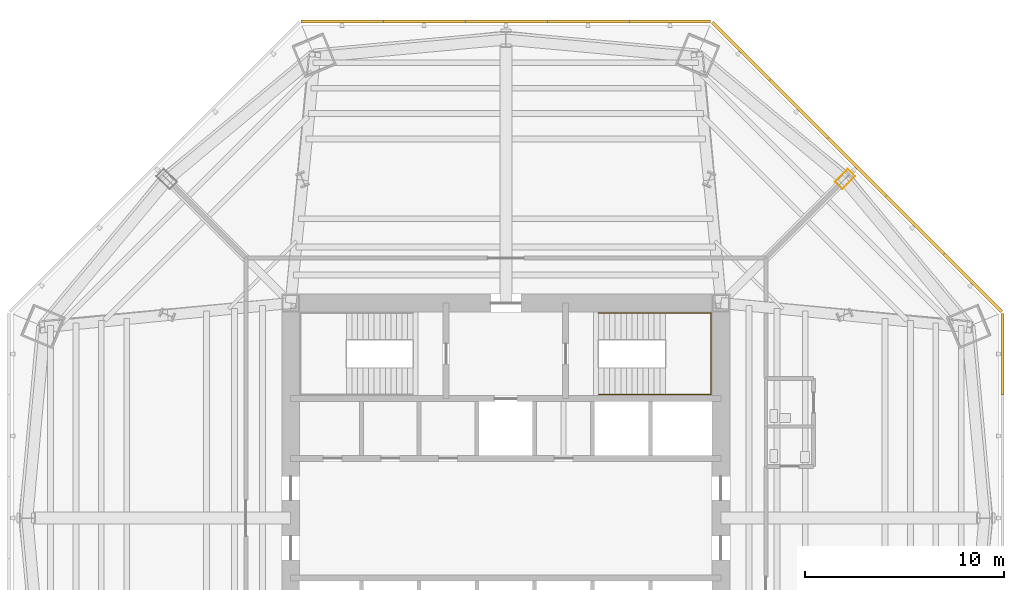
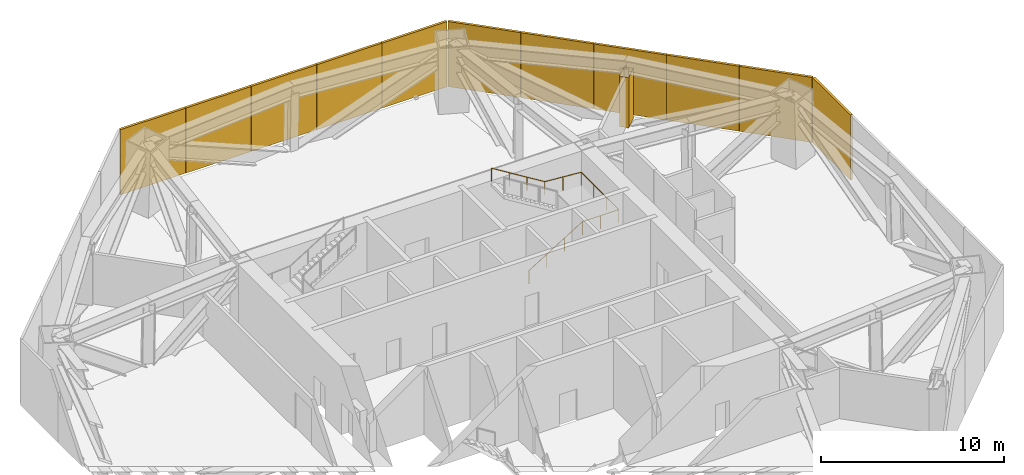
# One storey, part 9 of 10: 11 shading devices, 1 covering, 1 railing.
"""IFC4 building model written with IfcOpenShell, lengths in metres."""

from ifc_helpers import new_model, si_unit, direction, frame, origin, origin_2d, place, context, subcontext, project, spatial, polyline, rectangle, circle, outline, extrude, source, transform, mapped, material, layer, layer_set, type_object, type_shapes, element, save


model = new_model("IFC4")

# Units and contexts
model_context = context("Model", 3, precision=1e-05, world=origin(), true_north=direction((0.0, 1.0)))
body_context = subcontext(model_context, "Body", "Model", "MODEL_VIEW")
ifc_project = project(units=[si_unit("LENGTHUNIT", "METRE"), si_unit("AREAUNIT", "SQUARE_METRE"), si_unit("VOLUMEUNIT", "CUBIC_METRE"), si_unit("PLANEANGLEUNIT", "RADIAN"), si_unit("MASSUNIT", "GRAM", prefix="KILO")], contexts=[model_context])

# Site, building, storey
site_placement = place(None, origin())
site = spatial("IfcSite", under=ifc_project, at=site_placement, CompositionType="ELEMENT")
building_placement = place(site_placement, origin())
building = spatial("IfcBuilding", under=site, at=building_placement, Name="Mashrafa Tower", CompositionType="ELEMENT")
storey_placement = place(building_placement, frame((0.0, 0.0, 108.89990234375)))
storey = spatial("IfcBuildingStorey", under=building, at=storey_placement, Name="L24", CompositionType="ELEMENT", Elevation=108.89990234375)

# Covering
ifc_material_1 = material(Name="Gypsum board")
ifc_layer_1 = layer(ifc_material_1, 0.014892578125)
ifc_layer_set_1 = layer_set([ifc_layer_1], Name="Column casing plasterboard 15")
covering_type = type_object("IfcCoveringType", Name="Column casing plasterboard 15", PredefinedType="CLADDING", material=ifc_layer_set_1)
covering_placement = place(storey_placement, origin())
element("IfcCovering", 1, at=covering_placement, inside=storey, type_object=covering_type, Name="Column casing L24-001", PredefinedType="CLADDING", context=body_context, shape_type="SweptSolid", body=[
    extrude(outline(polyline([(16.506591796875, 16.881591796875), (17.171630859375, 17.54638671875), (17.54638671875, 17.171630859375), (16.881591796875, 16.506591796875), (16.506591796875, 16.881591796875)]), holes=[polyline([(17.525146484375, 17.171630859375), (17.171630859375, 17.525146484375), (16.52783203125, 16.881591796875), (16.881591796875, 16.52783203125), (17.525146484375, 17.171630859375)])]), origin(), (0.0, 0.0, 1.0), 3.342041015625),
])

# Railing
ifc_material_2 = material(Name="Steel", Category="steel")
railing_type = type_object("IfcRailingType", Name="Stair handrail 900", PredefinedType="HANDRAIL", material=ifc_material_2)
railing_placement = place(storey_placement, frame((4.64990234375, 6.199951171875, 0.173095703125)))
element("IfcRailing", 2, at=railing_placement, inside=storey, type_object=railing_type, Name="Stair S2 handrail L24", PredefinedType="HANDRAIL", context=body_context, shape_type="SweptSolid", body=[
    extrude(circle(Radius=0.02392578125, at=origin_2d()), frame((0.0, 0.0, 0.8759765625), z_axis=(0.850623216509, 0.0, 0.525775754039), x_axis=(0.0, 1.0, 0.0)), (0.0, 0.0, 1.0), 3.9501953125),
    extrude(circle(Radius=0.02392578125, at=origin_2d()), frame((3.360107421875, 0.0, 2.95263671875), z_axis=(1.0, 0.0, 0.0), x_axis=(0.0, 1.0, 0.0)), (0.0, 0.0, 1.0), 2.2900390625),
    extrude(circle(Radius=0.02392578125, at=origin_2d()), frame((5.650146484375, 0.0, 2.95263671875), z_axis=(0.0, 1.0, 0.0), x_axis=(-1.0, 0.0, 0.0)), (0.0, 0.0, 1.0), 4.10009765625),
    extrude(circle(Radius=0.02392578125, at=origin_2d()), frame((5.650146484375, 4.10009765625, 2.95263671875), z_axis=(-0.99715553422, 0.0, 0.075371351147), x_axis=(0.0, -1.0, 0.0)), (0.0, 0.0, 1.0), 2.296630859375),
    extrude(circle(Radius=0.02392578125, at=origin_2d()), frame((3.360107421875, 4.10009765625, 3.1259765625), z_axis=(-0.850623216509, 0.0, 0.525775754039), x_axis=(0.0, -1.0, 0.0)), (0.0, 0.0, 1.0), 3.9501953125),
    extrude(circle(Radius=0.02099609375, at=origin_2d()), origin(), (0.0, 0.0, 1.0), 0.851806640625),
    extrude(circle(Radius=0.02099609375, at=origin_2d()), frame((1.1201171875, 0.0, 0.6923828125)), (0.0, 0.0, 1.0), 0.851806640625),
    extrude(circle(Radius=0.02099609375, at=origin_2d()), frame((2.239990234375, 0.0, 1.384521484375)), (0.0, 0.0, 1.0), 0.851806640625),
    extrude(circle(Radius=0.02099609375, at=origin_2d()), frame((3.360107421875, 0.0, 2.076904296875)), (0.0, 0.0, 1.0), 0.851806640625),
    extrude(circle(Radius=0.02099609375, at=origin_2d()), frame((4.505126953125, 0.0, 2.076904296875)), (0.0, 0.0, 1.0), 0.851806640625),
    extrude(circle(Radius=0.02099609375, at=origin_2d()), frame((5.650146484375, 0.0, 2.076904296875)), (0.0, 0.0, 1.0), 0.851806640625),
    extrude(circle(Radius=0.02099609375, at=origin_2d()), frame((5.650146484375, 1.36669921875, 2.076904296875)), (0.0, 0.0, 1.0), 0.851806640625),
    extrude(circle(Radius=0.02099609375, at=origin_2d()), frame((5.650146484375, 2.7333984375, 2.076904296875)), (0.0, 0.0, 1.0), 0.851806640625),
    extrude(circle(Radius=0.02099609375, at=origin_2d()), frame((5.650146484375, 4.10009765625, 2.076904296875)), (0.0, 0.0, 1.0), 0.851806640625),
    extrude(circle(Radius=0.02099609375, at=origin_2d()), frame((4.505126953125, 4.10009765625, 2.16357421875)), (0.0, 0.0, 1.0), 0.851806640625),
    extrude(circle(Radius=0.02099609375, at=origin_2d()), frame((3.360107421875, 4.10009765625, 2.25)), (0.0, 0.0, 1.0), 0.851806640625),
    extrude(circle(Radius=0.02099609375, at=origin_2d()), frame((2.239990234375, 4.10009765625, 2.9423828125)), (0.0, 0.0, 1.0), 0.851806640625),
    extrude(circle(Radius=0.02099609375, at=origin_2d()), frame((1.1201171875, 4.10009765625, 3.634521484375)), (0.0, 0.0, 1.0), 0.851806640625),
    extrude(circle(Radius=0.02099609375, at=origin_2d()), frame((0.0, 4.10009765625, 4.326904296875)), (0.0, 0.0, 1.0), 0.851806640625),
])

# Shading devices
ifc_material_3 = material(Name="Extruded aluminium weather louvre", Category="aluminium")
ifc_layer_2 = layer(ifc_material_3, 0.14990234375)
ifc_layer_set_2 = layer_set([ifc_layer_2], Name="Plant louvre screen 150")
shading_device_type = type_object("IfcShadingDeviceType", Name="Plant louvre screen 150", PredefinedType="SHUTTER", material=ifc_layer_set_2)
shared_shape = source(origin(), body_context, "Body", "SweptSolid", [
    extrude(rectangle(XDim=4.0947265625, YDim=0.14990234375, at=origin_2d()), origin(), (0.0, 0.0, 1.0), 4.330078125),
])
type_shapes(shading_device_type, [shared_shape])
for number, where, z_axis, x_axis, name in (
    (3, (24.93408203125, 8.2294921875, 0.0), (0.0, 0.0, 1.0), (0.0, 1.0, 0.0), "Plant louvre screen L24 east 5"),
    (4, (23.4501953125, 11.811767578125, 0.0), (0.0, 0.0, 1.0), (-0.707106781187, 0.707106781187, 0.0), "Plant louvre screen L24 north-east 1"),
    (5, (20.540771484375, 14.721435546875, 0.0), (0.0, 0.0, 1.0), (-0.707106781187, 0.707106781187, 0.0), "Plant louvre screen L24 north-east 2"),
    (6, (17.631103515625, 17.631103515625, 0.0), (0.0, 0.0, 1.0), (-0.707106781187, 0.707106781187, 0.0), "Plant louvre screen L24 north-east 3"),
    (7, (14.721435546875, 20.540771484375, 0.0), (0.0, 0.0, 1.0), (-0.707106781187, 0.707106781187, 0.0), "Plant louvre screen L24 north-east 4"),
    (8, (11.811767578125, 23.4501953125, 0.0), (0.0, 0.0, 1.0), (-0.707106781187, 0.707106781187, 0.0), "Plant louvre screen L24 north-east 5"),
    (9, (8.2294921875, 24.93408203125, 0.0), (0.0, 0.0, 1.0), (-1.0, 0.0, 0.0), "Plant louvre screen L24 north 1"),
    (10, (4.11474609375, 24.93408203125, 0.0), (0.0, 0.0, 1.0), (-1.0, 0.0, 0.0), "Plant louvre screen L24 north 2"),
    (11, (0.0, 24.93408203125, 0.0), (0.0, 0.0, 1.0), (-1.0, 0.0, 0.0), "Plant louvre screen L24 north 3"),
    (12, (-4.11474609375, 24.93408203125, 0.0), (0.0, 0.0, 1.0), (-1.0, 0.0, 0.0), "Plant louvre screen L24 north 4"),
    (13, (-8.2294921875, 24.93408203125, 0.0), (0.0, 0.0, 1.0), (-1.0, 0.0, 0.0), "Plant louvre screen L24 north 5"),
):
    element("IfcShadingDevice", number, at=place(storey_placement, frame(where, z_axis=z_axis, x_axis=x_axis)), inside=storey, type_object=shading_device_type, Name=name, PredefinedType="SHUTTER", context=body_context, shape_type="MappedRepresentation", body=[
        mapped(shared_shape, transform((0.0, 0.0, 0.0))),
    ])

save(model, "model.ifc")
